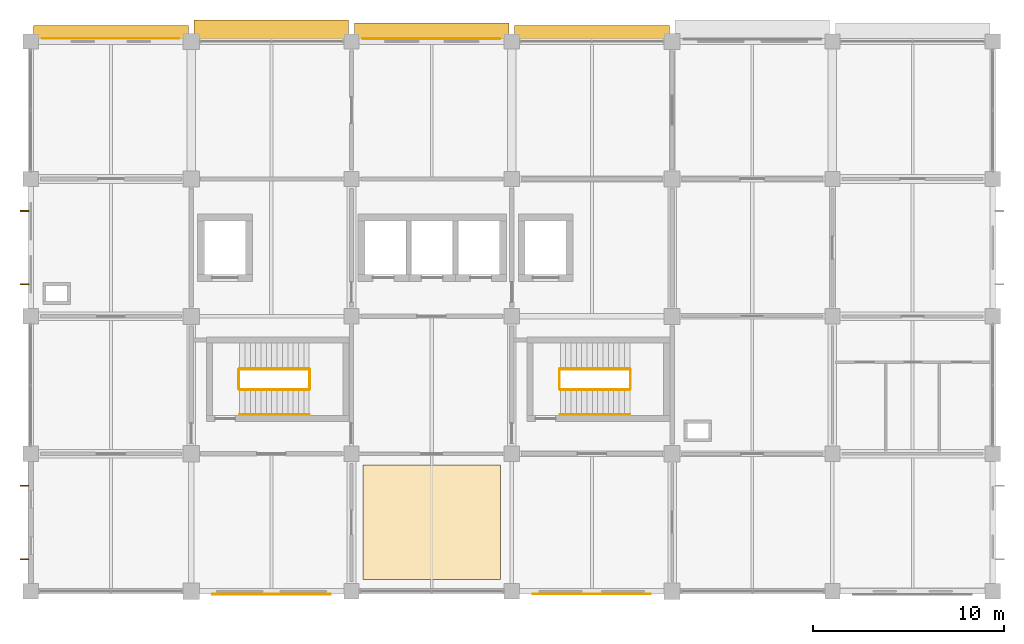
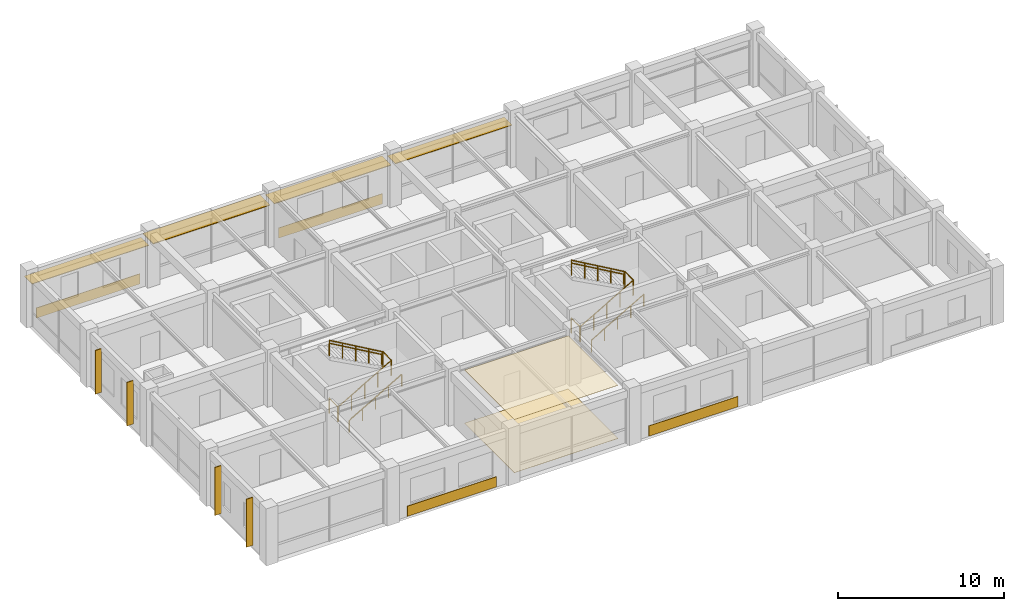
# One storey, part 12 of 13: 12 railings, 8 shading devices, 6 coverings.
"""IFC4 building model written with IfcOpenShell, lengths in metres."""

import ifcopenshell
import ifcopenshell.guid

model = None  # the IFC model being written
_history = None  # IfcOwnerHistory: only IFC2X3 demands one
_inside = {}  # id of a spatial element -> (the spatial element, [elements in it])
_under = {}  # id of a project, library or spatial element -> (it, [spatial elements below it])
_declared = {}  # id of a project -> (the project, [libraries it declares])
_typed = {}  # id of a type object -> (the type object, [elements of that type])
_made_of = {}  # id of a material, layer set ... -> (it, [elements and type objects made of it])


def new_model(schema):
    """Start an empty IFC model of exactly this schema.

    Asked for "IFC4X3", IfcOpenShell would pick the latest addendum, in which some entities
    have other attributes; the version numbers below select the first issue.
    IFC2X3 requires an IfcOwnerHistory on every rooted entity: one is made here for all.
    """
    global model, _history
    if schema == "IFC4X3":
        model = ifcopenshell.file(schema_version=(4, 3, 0, 0))
    else:
        model = ifcopenshell.file(schema=schema)
    _inside.clear()
    _under.clear()
    _declared.clear()
    _typed.clear()
    _made_of.clear()
    _history = None
    if model.schema == "IFC2X3":
        org = make("IfcOrganization", Name="unknown")
        user = make(
            "IfcPersonAndOrganization",
            ThePerson=make("IfcPerson", FamilyName="unknown"),
            TheOrganization=org,
        )
        app = make(
            "IfcApplication",
            ApplicationDeveloper=org,
            Version="unknown",
            ApplicationFullName="unknown",
            ApplicationIdentifier="unknown",
        )
        _history = make(
            "IfcOwnerHistory",
            OwningUser=user,
            OwningApplication=app,
            ChangeAction="ADDED",
            CreationDate=0,
        )
    return model


def make(cls, **values):
    """One entity of the class cls with the attributes given. An attribute that is None is left unset."""
    return model.create_entity(
        cls, **{name: value for name, value in values.items() if value is not None}
    )


def rooted(cls, **values):
    """An entity with a GlobalId (a new one), such as an element, a storey or a relation."""
    return make(cls, GlobalId=ifcopenshell.guid.new(), OwnerHistory=_history, **values)


def si_unit(unit_type, name, prefix=None):
    """IfcSIUnit, for example si_unit("LENGTHUNIT", "METRE", prefix="MILLI")."""
    return make("IfcSIUnit", UnitType=unit_type, Prefix=prefix, Name=name)


def derived_unit(unit_type, elements):
    """IfcDerivedUnit: a product of units, each with its exponent."""
    return make(
        "IfcDerivedUnit",
        Elements=[
            make("IfcDerivedUnitElement", Unit=unit, Exponent=power)
            for unit, power in elements
        ],
        UnitType=unit_type,
    )


def assignment(units):
    """IfcUnitAssignment: the units of a project."""
    return None if units is None else make("IfcUnitAssignment", Units=units)


def point(xyz):
    """IfcCartesianPoint."""
    return None if xyz is None else make("IfcCartesianPoint", Coordinates=xyz)


def direction(xyz):
    """IfcDirection."""
    return None if xyz is None else make("IfcDirection", DirectionRatios=xyz)


def frame(location, z_axis=None, x_axis=None):
    """IfcAxis2Placement3D, a coordinate frame: its origin and axes. An axis left out is left unset."""
    return make(
        "IfcAxis2Placement3D",
        Location=point(location),
        Axis=direction(z_axis),
        RefDirection=direction(x_axis),
    )


def frame_2d(location, x_axis=None):
    """IfcAxis2Placement2D, a coordinate frame in the plane: its origin and x axis."""
    return make(
        "IfcAxis2Placement2D", Location=point(location), RefDirection=direction(x_axis)
    )


def origin():
    """The frame at (0, 0, 0) with its axes left unset."""
    return frame((0.0, 0.0, 0.0))


def origin_2d():
    """The frame at (0, 0) in the plane with its x axis left unset."""
    return frame_2d((0.0, 0.0))


def place(relative_to, where):
    """IfcLocalPlacement: puts the frame where relative to a parent placement (None: the world)."""
    return make(
        "IfcLocalPlacement", PlacementRelTo=relative_to, RelativePlacement=where
    )


def context(
    kind, dimensions, precision=None, world=None, true_north=None, identifier=None
):
    """IfcGeometricRepresentationContext, for example the 3D "Model" context."""
    return make(
        "IfcGeometricRepresentationContext",
        ContextIdentifier=identifier,
        ContextType=kind,
        CoordinateSpaceDimension=dimensions,
        Precision=precision,
        WorldCoordinateSystem=world,
        TrueNorth=true_north,
    )


def subcontext(parent, identifier, kind, view, scale=None):
    """IfcGeometricRepresentationSubContext, for example "Body" below "Model"."""
    return make(
        "IfcGeometricRepresentationSubContext",
        ContextIdentifier=identifier,
        ContextType=kind,
        ParentContext=parent,
        TargetScale=scale,
        TargetView=view,
    )


def project(units=None, contexts=None):
    """IfcProject with its units and contexts."""
    return rooted(
        "IfcProject",
        Name="project",
        RepresentationContexts=contexts,
        UnitsInContext=assignment(units),
    )


def spatial(cls, under=None, at=None, **own):
    """A site, building, storey or space (cls), placed at a placement, below another one or the project."""
    s = rooted(cls, ObjectPlacement=at, **own)
    if under is not None:
        _under.setdefault(under.id(), (under, []))[1].append(s)
    return s


def polyline(points):
    """IfcPolyline through the points."""
    return make("IfcPolyline", Points=[point(p) for p in points])


def profile(cls, at=None, kind="AREA", **sizes):
    """A parametric profile (cls). Its sizes go by their IFC names, for example OverallWidth=200.0."""
    return make(cls, ProfileType=kind, Position=at, **sizes)


def rectangle(**sizes):
    """IfcRectangleProfileDef."""
    return profile("IfcRectangleProfileDef", **sizes)


def circle(**sizes):
    """IfcCircleProfileDef."""
    return profile("IfcCircleProfileDef", **sizes)


def outline(outer, holes=None, kind="AREA"):
    """IfcArbitraryClosedProfileDef: a profile drawn as a closed curve; with holes, ...WithVoids."""
    if holes is None:
        return make("IfcArbitraryClosedProfileDef", ProfileType=kind, OuterCurve=outer)
    return make(
        "IfcArbitraryProfileDefWithVoids",
        ProfileType=kind,
        OuterCurve=outer,
        InnerCurves=holes,
    )


def extrude(swept, where, along, depth):
    """IfcExtrudedAreaSolid: the profile swept, set in the frame where, extruded along a direction by depth."""
    return make(
        "IfcExtrudedAreaSolid",
        SweptArea=swept,
        Position=where,
        ExtrudedDirection=direction(along),
        Depth=depth,
    )


def shape(context_of_items, identifier, shape_type, items):
    """IfcShapeRepresentation: the items that make up one representation, for example the "Body"."""
    return make(
        "IfcShapeRepresentation",
        ContextOfItems=context_of_items,
        RepresentationIdentifier=identifier,
        RepresentationType=shape_type,
        Items=items,
    )


def material(Name=None, Category=None):
    """IfcMaterial."""
    return make("IfcMaterial", Name=Name, Category=Category)


def layer(
    of_material, thickness, ventilated=None, Name=None, Category=None, Priority=None
):
    """IfcMaterialLayer: one layer of a wall or slab, of a material (None: an air gap)."""
    return make(
        "IfcMaterialLayer",
        Material=of_material,
        LayerThickness=thickness,
        IsVentilated=ventilated,
        Name=Name,
        Category=Category,
        Priority=Priority,
    )


def layer_set(layers, Name=None):
    """IfcMaterialLayerSet."""
    return make("IfcMaterialLayerSet", MaterialLayers=layers, LayerSetName=Name)


def made_of(thing, what):
    """Note that an element or type object is made of a material, layer set ...; save() writes the relation."""
    if what is not None:
        _made_of.setdefault(what.id(), (what, []))[1].append(thing)
    return thing


def type_object(cls, material=None, **own):
    """A type object (cls), such as IfcWallType, which elements share."""
    return made_of(rooted(cls, **own), material)


def element(
    cls,
    number,
    at=None,
    inside=None,
    cuts=None,
    type_object=None,
    material=None,
    context=None,
    identifier="Body",
    shape_type=None,
    held_by="IfcProductDefinitionShape",
    body=None,
    shapes=None,
    **own,
):
    """One element of the class cls, such as IfcWall. Its Tag is "e" and its number.

    at: its placement. inside: the storey or other place that contains it. cuts: it is an
    opening in that element (IfcRelVoidsElement). A single representation is given by context,
    identifier, shape_type and body (its items); several are given by shapes. held_by: the class
    of the entity that holds the representations. save() writes the other relations.
    """
    e = rooted(cls, Tag="e%d" % number, ObjectPlacement=at, **own)
    if body is not None:
        shapes = [shape(context, identifier, shape_type, body)]
    if shapes is not None:
        e.Representation = make(held_by, Representations=shapes)
    if inside is not None:
        _inside.setdefault(inside.id(), (inside, []))[1].append(e)
    if cuts is not None:
        rooted(
            "IfcRelVoidsElement", RelatingBuildingElement=cuts, RelatedOpeningElement=e
        )
    if type_object is not None:
        _typed.setdefault(type_object.id(), (type_object, []))[1].append(e)
    return made_of(e, material)


def aggregate(whole, parts):
    """IfcRelAggregates: a whole, such as a stair, and the parts it consists of."""
    return rooted("IfcRelAggregates", RelatingObject=whole, RelatedObjects=parts)


def save(model, path):
    """Write the relations noted so far, then the file.

    IfcRelAggregates (storeys below a building ...), IfcRelContainedInSpatialStructure (elements
    in a storey), IfcRelDefinesByType, IfcRelAssociatesMaterial and IfcRelDeclares: one each for
    every whole, place, type object, material and project.
    """
    for whole, parts in _under.values():
        aggregate(whole, parts)
    for where, things in _inside.values():
        rooted(
            "IfcRelContainedInSpatialStructure",
            RelatedElements=things,
            RelatingStructure=where,
        )
    for kind, things in _typed.values():
        rooted("IfcRelDefinesByType", RelatedObjects=things, RelatingType=kind)
    for what, things in _made_of.values():
        rooted("IfcRelAssociatesMaterial", RelatedObjects=things, RelatingMaterial=what)
    for by, libraries in _declared.values():
        rooted("IfcRelDeclares", RelatingContext=by, RelatedDefinitions=libraries)
    model.write(path)


model = new_model("IFC4")

# Units and contexts
model_context = context("Model", 3, precision=1e-05, world=origin(), true_north=direction((0.0, 1.0)))
body_context = subcontext(model_context, "Body", "Model", "MODEL_VIEW")
ifc_project = project(units=[si_unit("LENGTHUNIT", "METRE"), si_unit("AREAUNIT", "SQUARE_METRE"), si_unit("VOLUMEUNIT", "CUBIC_METRE"), si_unit("PLANEANGLEUNIT", "RADIAN"), si_unit("MASSUNIT", "GRAM", prefix="KILO"), derived_unit("THERMALTRANSMITTANCEUNIT", [(si_unit("MASSUNIT", "GRAM", prefix="KILO"), 1), (si_unit("TIMEUNIT", "SECOND"), -3), (si_unit("THERMODYNAMICTEMPERATUREUNIT", "KELVIN"), -1)])], contexts=[model_context])

# Site, building, storey
site_placement = place(None, origin())
site = spatial("IfcSite", under=ifc_project, at=site_placement, CompositionType="ELEMENT")
building_placement = place(site_placement, origin())
building = spatial("IfcBuilding", under=site, at=building_placement, Name="Veldstrom Oceanarium and Marine Research Institute", CompositionType="ELEMENT")
storey_placement = place(building_placement, frame((0.0, 0.0, 27.0)))
storey = spatial("IfcBuildingStorey", under=building, at=storey_placement, Name="L05", CompositionType="ELEMENT", Elevation=27.0)

# Coverings
ifc_material_1 = material(Name="Anodised Aluminium Spandrel Rainscreen Cladding", Category="aluminium")
ifc_layer_1 = layer(ifc_material_1, 0.75)
ifc_layer_set_1 = layer_set([ifc_layer_1], Name="ARC-COV-CD1")
covering_type_1 = type_object("IfcCoveringType", Name="ARC-COV-CD1", PredefinedType="CLADDING", material=ifc_layer_set_1)
for number, where, z_axis, x_axis, name in (
    (1, (71.387451171875, 72.16845703125, 0.044921875), (0.0, 0.0, 1.0), (1.0, 0.0, 0.0), "Spandrel Rainscreen Cladding L05-102"),
    (2, (88.199951171875, 72.1484375, 0.044921875), (0.0, 0.0, 1.0), (1.0, 0.0, 0.0), "Spandrel Rainscreen Cladding L05-104"),
):
    element("IfcCovering", number, at=place(storey_placement, frame(where, z_axis=z_axis, x_axis=x_axis)), inside=storey, type_object=covering_type_1, Name=name, PredefinedType="CLADDING", context=body_context, shape_type="SweptSolid", body=[
        extrude(rectangle(XDim=7.199951171875, YDim=0.034912109375, at=origin_2d()), origin(), (0.0, 0.0, 1.0), 0.75),
    ])
ifc_material_2 = material(Name="Terracotta Spandrel Rainscreen Cladding", Category="masonry")
ifc_layer_2 = layer(ifc_material_2, 0.75)
ifc_layer_set_2 = layer_set([ifc_layer_2], Name="ARC-COV-CD2")
covering_type_2 = type_object("IfcCoveringType", Name="ARC-COV-CD2", PredefinedType="CLADDING", material=ifc_layer_set_2)
for number, where, z_axis, x_axis, name in (
    (3, (79.8125, 43.0390625, 0.044921875), (0.0, 0.0, 1.0), (1.0, 0.0, 0.0), "Spandrel Rainscreen Cladding L05-103"),
    (4, (96.58740234375, 43.05908203125, 0.044921875), (0.0, 0.0, 1.0), (1.0, 0.0, 0.0), "Spandrel Rainscreen Cladding L05-105"),
):
    element("IfcCovering", number, at=place(storey_placement, frame(where, z_axis=z_axis, x_axis=x_axis)), inside=storey, type_object=covering_type_2, Name=name, PredefinedType="CLADDING", context=body_context, shape_type="SweptSolid", body=[
        extrude(rectangle(XDim=6.199951171875, YDim=0.0400390625, at=origin_2d()), origin(), (0.0, 0.0, 1.0), 0.75),
    ])
ifc_material_3 = material(Name="Mineral-Fibre Acoustic Ceiling Tile", Category="gypsum")
ifc_layer_3 = layer(ifc_material_3, 0.02490234375)
ifc_layer_set_3 = layer_set([ifc_layer_3], Name="ARC-COV-CL1")
covering_type_3 = type_object("IfcCoveringType", Name="ARC-COV-CL1", PredefinedType="CEILING", material=ifc_layer_set_3)
covering_1_placement = place(storey_placement, frame((0.0, 0.0, 3.89501953125)))
element("IfcCovering", 5, at=covering_1_placement, inside=storey, type_object=covering_type_3, Name="Suspended Acoustic Ceiling L05", PredefinedType="CEILING", context=body_context, shape_type="SweptSolid", body=[
    extrude(outline(polyline([(84.60009765625, 43.800048828125), (91.800048828125, 43.800048828125), (91.800048828125, 49.800048828125), (84.60009765625, 49.800048828125), (84.60009765625, 43.800048828125)])), origin(), (0.0, 0.0, 1.0), 0.02490234375),
])
ifc_material_4 = material(Name="Polished Terrazzo and Marine Epoxy Flooring", Category="concrete")
ifc_layer_4 = layer(ifc_material_4, 0.02001953125)
ifc_layer_set_4 = layer_set([ifc_layer_4], Name="ARC-COV-FL1")
covering_type_4 = type_object("IfcCoveringType", Name="ARC-COV-FL1", PredefinedType="FLOORING", material=ifc_layer_set_4)
covering_2_placement = place(storey_placement, origin())
element("IfcCovering", 6, at=covering_2_placement, inside=storey, type_object=covering_type_4, Name="Terrazzo and Marine Epoxy Floor Finish L05", PredefinedType="FLOORING", context=body_context, shape_type="SweptSolid", body=[
    extrude(outline(polyline([(84.60009765625, 43.800048828125), (91.800048828125, 43.800048828125), (91.800048828125, 49.800048828125), (84.60009765625, 49.800048828125), (84.60009765625, 43.800048828125)])), origin(), (0.0, 0.0, 1.0), 0.02001953125),
])

# Railings
ifc_material_5 = material(Name="Duplex Stainless Steel Balustrade", Category="steel")
ifc_layer_5 = layer(ifc_material_5, 0.06005859375)
ifc_layer_set_5 = layer_set([ifc_layer_5], Name="ARC-RLG-GR1")
railing_type_1 = type_object("IfcRailingType", Name="ARC-RLG-GR1", PredefinedType="GUARDRAIL", material=ifc_layer_set_5)
railing_1_placement = place(storey_placement, frame((78.10009765625, 53.800048828125, 0.0)))
element("IfcRailing", 7, at=railing_1_placement, inside=storey, type_object=railing_type_1, Name="Stair Well Landing Guard ST1 L05", PredefinedType="GUARDRAIL", context=body_context, shape_type="SweptSolid", body=[
    extrude(circle(Radius=0.02392578125, at=origin_2d()), frame((0.0, 0.0, 1.09619140625), z_axis=(0.0, 1.0, 0.0), x_axis=(-1.0, 0.0, 0.0)), (0.0, 0.0, 1.0), 1.0),
    extrude(circle(Radius=0.02099609375, at=origin_2d()), origin(), (0.0, 0.0, 1.0), 1.072021484375),
    extrude(circle(Radius=0.02099609375, at=origin_2d()), frame((0.0, 1.0, 0.0)), (0.0, 0.0, 1.0), 1.072021484375),
])
railing_2_placement = place(storey_placement, frame((78.139892578125, 53.760009765625, 0.0)))
element("IfcRailing", 8, at=railing_2_placement, inside=storey, type_object=railing_type_1, Name="Stair Flight Guardrail ST1-L05-1", PredefinedType="GUARDRAIL", context=body_context, shape_type="SweptSolid", body=[
    extrude(circle(Radius=0.02392578125, at=origin_2d()), frame((0.0, 0.0, 1.09619140625), z_axis=(0.86618365172, 0.0, 0.499725806311), x_axis=(0.0, 1.0, 0.0)), (0.0, 0.0, 1.0), 4.202392578125),
    extrude(circle(Radius=0.02099609375, at=origin_2d()), origin(), (0.0, 0.0, 1.0), 1.072021484375),
    extrude(circle(Radius=0.02099609375, at=origin_2d()), frame((0.91015625, 0.0, 0.52490234375)), (0.0, 0.0, 1.0), 1.072021484375),
    extrude(circle(Radius=0.02099609375, at=origin_2d()), frame((1.820068359375, 0.0, 1.050048828125)), (0.0, 0.0, 1.0), 1.072021484375),
    extrude(circle(Radius=0.02099609375, at=origin_2d()), frame((2.72998046875, 0.0, 1.5751953125)), (0.0, 0.0, 1.0), 1.072021484375),
    extrude(circle(Radius=0.02099609375, at=origin_2d()), frame((3.64013671875, 0.0, 2.10009765625)), (0.0, 0.0, 1.0), 1.072021484375),
])
railing_3_placement = place(storey_placement, frame((81.820068359375, 53.800048828125, 2.10009765625)))
element("IfcRailing", 9, at=railing_3_placement, inside=storey, type_object=railing_type_1, Name="Stair Half-Landing Guardrail ST1-L05", PredefinedType="GUARDRAIL", context=body_context, shape_type="SweptSolid", body=[
    extrude(circle(Radius=0.02392578125, at=origin_2d()), frame((0.0, 0.0, 1.09619140625), z_axis=(0.0, 1.0, 0.0), x_axis=(-1.0, 0.0, 0.0)), (0.0, 0.0, 1.0), 1.0),
    extrude(circle(Radius=0.02099609375, at=origin_2d()), origin(), (0.0, 0.0, 1.0), 1.072021484375),
    extrude(circle(Radius=0.02099609375, at=origin_2d()), frame((0.0, 1.0, 0.0)), (0.0, 0.0, 1.0), 1.072021484375),
])
railing_4_placement = place(storey_placement, frame((81.780029296875, 54.840087890625, 2.10009765625)))
element("IfcRailing", 10, at=railing_4_placement, inside=storey, type_object=railing_type_1, Name="Stair Flight Guardrail ST1-L05-2", PredefinedType="GUARDRAIL", context=body_context, shape_type="SweptSolid", body=[
    extrude(circle(Radius=0.02392578125, at=origin_2d()), frame((0.0, 0.0, 1.09619140625), z_axis=(-0.866208797654, 0.0, 0.499682217882), x_axis=(0.0, -1.0, 0.0)), (0.0, 0.0, 1.0), 4.202392578125),
    extrude(circle(Radius=0.02099609375, at=origin_2d()), origin(), (0.0, 0.0, 1.0), 1.072021484375),
    extrude(circle(Radius=0.02099609375, at=origin_2d()), frame((-0.91015625, 0.0, 0.52490234375)), (0.0, 0.0, 1.0), 1.072021484375),
    extrude(circle(Radius=0.02099609375, at=origin_2d()), frame((-1.820068359375, 0.0, 1.0498046875)), (0.0, 0.0, 1.0), 1.072021484375),
    extrude(circle(Radius=0.02099609375, at=origin_2d()), frame((-2.72998046875, 0.0, 1.574951171875)), (0.0, 0.0, 1.0), 1.072021484375),
    extrude(circle(Radius=0.02099609375, at=origin_2d()), frame((-3.64013671875, 0.0, 2.099853515625)), (0.0, 0.0, 1.0), 1.072021484375),
])
railing_5_placement = place(storey_placement, frame((94.89990234375, 53.800048828125, 0.0)))
element("IfcRailing", 11, at=railing_5_placement, inside=storey, type_object=railing_type_1, Name="Stair Well Landing Guard ST2 L05", PredefinedType="GUARDRAIL", context=body_context, shape_type="SweptSolid", body=[
    extrude(circle(Radius=0.02392578125, at=origin_2d()), frame((0.0, 0.0, 1.09619140625), z_axis=(0.0, 1.0, 0.0), x_axis=(-1.0, 0.0, 0.0)), (0.0, 0.0, 1.0), 1.0),
    extrude(circle(Radius=0.02099609375, at=origin_2d()), origin(), (0.0, 0.0, 1.0), 1.072021484375),
    extrude(circle(Radius=0.02099609375, at=origin_2d()), frame((0.0, 1.0, 0.0)), (0.0, 0.0, 1.0), 1.072021484375),
])
railing_6_placement = place(storey_placement, frame((94.93994140625, 53.760009765625, 0.0)))
element("IfcRailing", 12, at=railing_6_placement, inside=storey, type_object=railing_type_1, Name="Stair Flight Guardrail ST2-L05-1", PredefinedType="GUARDRAIL", context=body_context, shape_type="SweptSolid", body=[
    extrude(circle(Radius=0.02392578125, at=origin_2d()), frame((0.0, 0.0, 1.09619140625), z_axis=(0.86618365172, 0.0, 0.499725806311), x_axis=(0.0, 1.0, 0.0)), (0.0, 0.0, 1.0), 4.202392578125),
    extrude(circle(Radius=0.02099609375, at=origin_2d()), origin(), (0.0, 0.0, 1.0), 1.072021484375),
    extrude(circle(Radius=0.02099609375, at=origin_2d()), frame((0.91015625, 0.0, 0.52490234375)), (0.0, 0.0, 1.0), 1.072021484375),
    extrude(circle(Radius=0.02099609375, at=origin_2d()), frame((1.820068359375, 0.0, 1.050048828125)), (0.0, 0.0, 1.0), 1.072021484375),
    extrude(circle(Radius=0.02099609375, at=origin_2d()), frame((2.72998046875, 0.0, 1.5751953125)), (0.0, 0.0, 1.0), 1.072021484375),
    extrude(circle(Radius=0.02099609375, at=origin_2d()), frame((3.64013671875, 0.0, 2.10009765625)), (0.0, 0.0, 1.0), 1.072021484375),
])
railing_7_placement = place(storey_placement, frame((98.6201171875, 53.800048828125, 2.10009765625)))
element("IfcRailing", 13, at=railing_7_placement, inside=storey, type_object=railing_type_1, Name="Stair Half-Landing Guardrail ST2-L05", PredefinedType="GUARDRAIL", context=body_context, shape_type="SweptSolid", body=[
    extrude(circle(Radius=0.02392578125, at=origin_2d()), frame((0.0, 0.0, 1.09619140625), z_axis=(0.0, 1.0, 0.0), x_axis=(-1.0, 0.0, 0.0)), (0.0, 0.0, 1.0), 1.0),
    extrude(circle(Radius=0.02099609375, at=origin_2d()), origin(), (0.0, 0.0, 1.0), 1.072021484375),
    extrude(circle(Radius=0.02099609375, at=origin_2d()), frame((0.0, 1.0, 0.0)), (0.0, 0.0, 1.0), 1.072021484375),
])
railing_8_placement = place(storey_placement, frame((98.580078125, 54.840087890625, 2.10009765625)))
element("IfcRailing", 14, at=railing_8_placement, inside=storey, type_object=railing_type_1, Name="Stair Flight Guardrail ST2-L05-2", PredefinedType="GUARDRAIL", context=body_context, shape_type="SweptSolid", body=[
    extrude(circle(Radius=0.02392578125, at=origin_2d()), frame((0.0, 0.0, 1.09619140625), z_axis=(-0.866208797654, 0.0, 0.499682217882), x_axis=(0.0, -1.0, 0.0)), (0.0, 0.0, 1.0), 4.202392578125),
    extrude(circle(Radius=0.02099609375, at=origin_2d()), origin(), (0.0, 0.0, 1.0), 1.072021484375),
    extrude(circle(Radius=0.02099609375, at=origin_2d()), frame((-0.91015625, 0.0, 0.52490234375)), (0.0, 0.0, 1.0), 1.072021484375),
    extrude(circle(Radius=0.02099609375, at=origin_2d()), frame((-1.820068359375, 0.0, 1.0498046875)), (0.0, 0.0, 1.0), 1.072021484375),
    extrude(circle(Radius=0.02099609375, at=origin_2d()), frame((-2.72998046875, 0.0, 1.574951171875)), (0.0, 0.0, 1.0), 1.072021484375),
    extrude(circle(Radius=0.02099609375, at=origin_2d()), frame((-3.64013671875, 0.0, 2.099853515625)), (0.0, 0.0, 1.0), 1.072021484375),
])
ifc_material_6 = material(Name="Brushed Stainless Steel Handrail", Category="steel")
ifc_layer_6 = layer(ifc_material_6, 0.050048828125)
ifc_layer_set_6 = layer_set([ifc_layer_6], Name="ARC-RLG-HR1")
railing_type_2 = type_object("IfcRailingType", Name="ARC-RLG-HR1", PredefinedType="HANDRAIL", material=ifc_layer_set_6)
railing_9_placement = place(storey_placement, frame((78.139892578125, 52.4599609375, 0.0)))
element("IfcRailing", 15, at=railing_9_placement, inside=storey, type_object=railing_type_2, Name="Stair Wall Handrail ST1-L05-1", PredefinedType="HANDRAIL", context=body_context, shape_type="SweptSolid", body=[
    extrude(circle(Radius=0.02392578125, at=origin_2d()), frame((0.0, 0.0, 0.8759765625), z_axis=(0.86618365172, 0.0, 0.499725806311), x_axis=(0.0, 1.0, 0.0)), (0.0, 0.0, 1.0), 4.202392578125),
    extrude(circle(Radius=0.02099609375, at=origin_2d()), origin(), (0.0, 0.0, 1.0), 0.851806640625),
    extrude(circle(Radius=0.02099609375, at=origin_2d()), frame((0.91015625, 0.0, 0.52490234375)), (0.0, 0.0, 1.0), 0.851806640625),
    extrude(circle(Radius=0.02099609375, at=origin_2d()), frame((1.820068359375, 0.0, 1.050048828125)), (0.0, 0.0, 1.0), 0.851806640625),
    extrude(circle(Radius=0.02099609375, at=origin_2d()), frame((2.72998046875, 0.0, 1.5751953125)), (0.0, 0.0, 1.0), 0.851806640625),
    extrude(circle(Radius=0.02099609375, at=origin_2d()), frame((3.64013671875, 0.0, 2.10009765625)), (0.0, 0.0, 1.0), 0.851806640625),
])
railing_10_placement = place(storey_placement, frame((81.780029296875, 54.860107421875, 2.10009765625)))
element("IfcRailing", 16, at=railing_10_placement, inside=storey, type_object=railing_type_2, Name="Stair Wall Handrail ST1-L05-2", PredefinedType="HANDRAIL", context=body_context, shape_type="SweptSolid", body=[
    extrude(circle(Radius=0.02392578125, at=origin_2d()), frame((0.0, 0.0, 0.8759765625), z_axis=(-0.866208797654, 0.0, 0.499682217882), x_axis=(0.0, -1.0, 0.0)), (0.0, 0.0, 1.0), 4.202392578125),
    extrude(circle(Radius=0.02099609375, at=origin_2d()), origin(), (0.0, 0.0, 1.0), 0.851806640625),
    extrude(circle(Radius=0.02099609375, at=origin_2d()), frame((-0.91015625, 0.0, 0.52490234375)), (0.0, 0.0, 1.0), 0.851806640625),
    extrude(circle(Radius=0.02099609375, at=origin_2d()), frame((-1.820068359375, 0.0, 1.0498046875)), (0.0, 0.0, 1.0), 0.851806640625),
    extrude(circle(Radius=0.02099609375, at=origin_2d()), frame((-2.72998046875, 0.0, 1.574951171875)), (0.0, 0.0, 1.0), 0.851806640625),
    extrude(circle(Radius=0.02099609375, at=origin_2d()), frame((-3.64013671875, 0.0, 2.099853515625)), (0.0, 0.0, 1.0), 0.851806640625),
])
railing_11_placement = place(storey_placement, frame((94.93994140625, 52.4599609375, 0.0)))
element("IfcRailing", 17, at=railing_11_placement, inside=storey, type_object=railing_type_2, Name="Stair Wall Handrail ST2-L05-1", PredefinedType="HANDRAIL", context=body_context, shape_type="SweptSolid", body=[
    extrude(circle(Radius=0.02392578125, at=origin_2d()), frame((0.0, 0.0, 0.8759765625), z_axis=(0.86618365172, 0.0, 0.499725806311), x_axis=(0.0, 1.0, 0.0)), (0.0, 0.0, 1.0), 4.202392578125),
    extrude(circle(Radius=0.02099609375, at=origin_2d()), origin(), (0.0, 0.0, 1.0), 0.851806640625),
    extrude(circle(Radius=0.02099609375, at=origin_2d()), frame((0.91015625, 0.0, 0.52490234375)), (0.0, 0.0, 1.0), 0.851806640625),
    extrude(circle(Radius=0.02099609375, at=origin_2d()), frame((1.820068359375, 0.0, 1.050048828125)), (0.0, 0.0, 1.0), 0.851806640625),
    extrude(circle(Radius=0.02099609375, at=origin_2d()), frame((2.72998046875, 0.0, 1.5751953125)), (0.0, 0.0, 1.0), 0.851806640625),
    extrude(circle(Radius=0.02099609375, at=origin_2d()), frame((3.64013671875, 0.0, 2.10009765625)), (0.0, 0.0, 1.0), 0.851806640625),
])
railing_12_placement = place(storey_placement, frame((98.580078125, 54.860107421875, 2.10009765625)))
element("IfcRailing", 18, at=railing_12_placement, inside=storey, type_object=railing_type_2, Name="Stair Wall Handrail ST2-L05-2", PredefinedType="HANDRAIL", context=body_context, shape_type="SweptSolid", body=[
    extrude(circle(Radius=0.02392578125, at=origin_2d()), frame((0.0, 0.0, 0.8759765625), z_axis=(-0.866208797654, 0.0, 0.499682217882), x_axis=(0.0, -1.0, 0.0)), (0.0, 0.0, 1.0), 4.202392578125),
    extrude(circle(Radius=0.02099609375, at=origin_2d()), origin(), (0.0, 0.0, 1.0), 0.851806640625),
    extrude(circle(Radius=0.02099609375, at=origin_2d()), frame((-0.91015625, 0.0, 0.52490234375)), (0.0, 0.0, 1.0), 0.851806640625),
    extrude(circle(Radius=0.02099609375, at=origin_2d()), frame((-1.820068359375, 0.0, 1.0498046875)), (0.0, 0.0, 1.0), 0.851806640625),
    extrude(circle(Radius=0.02099609375, at=origin_2d()), frame((-2.72998046875, 0.0, 1.574951171875)), (0.0, 0.0, 1.0), 0.851806640625),
    extrude(circle(Radius=0.02099609375, at=origin_2d()), frame((-3.64013671875, 0.0, 2.099853515625)), (0.0, 0.0, 1.0), 0.851806640625),
])

# Shading devices
ifc_material_7 = material(Name="Precast Terracotta Brise-Soleil Louvre", Category="masonry")
ifc_layer_7 = layer(ifc_material_7, 3.60009765625)
ifc_layer_set_7 = layer_set([ifc_layer_7], Name="ARC-SHD-BS01")
shading_device_type_1 = type_object("IfcShadingDeviceType", Name="ARC-SHD-BS01", PredefinedType="JALOUSIE", material=ifc_layer_set_7)
for number, where, z_axis, x_axis, name in (
    (19, (66.85498046875, 44.8798828125, 0.199951171875), (0.0, 0.0, 1.0), (1.0, 0.0, 0.0), "Terracotta Brise-Soleil Louvre L05-100"),
    (20, (66.85498046875, 48.719970703125, 0.199951171875), (0.0, 0.0, 1.0), (1.0, 0.0, 0.0), "Terracotta Brise-Soleil Louvre L05-100"),
):
    element("IfcShadingDevice", number, at=place(storey_placement, frame(where, z_axis=z_axis, x_axis=x_axis)), inside=storey, type_object=shading_device_type_1, Name=name, PredefinedType="JALOUSIE", context=body_context, shape_type="SweptSolid", body=[
        extrude(rectangle(XDim=0.449951171875, YDim=0.06005859375, at=origin_2d()), origin(), (0.0, 0.0, 1.0), 3.52001953125),
    ])
ifc_material_8 = material(Name="Precast Terracotta Brise-Soleil Louvre", Category="masonry")
ifc_layer_8 = layer(ifc_material_8, 3.199951171875)
ifc_layer_set_8 = layer_set([ifc_layer_8], Name="ARC-SHD-BS02")
shading_device_type_2 = type_object("IfcShadingDeviceType", Name="ARC-SHD-BS02", PredefinedType="JALOUSIE", material=ifc_layer_set_8)
for number, where, z_axis, x_axis, name in (
    (21, (66.87255859375, 59.280029296875, 0.35986328125), (0.0, 0.0, 1.0), (1.0, 0.0, 0.0), "Terracotta Brise-Soleil Louvre L05-101"),
    (22, (66.87255859375, 63.1201171875, 0.35986328125), (0.0, 0.0, 1.0), (1.0, 0.0, 0.0), "Terracotta Brise-Soleil Louvre L05-101"),
):
    element("IfcShadingDevice", number, at=place(storey_placement, frame(where, z_axis=z_axis, x_axis=x_axis)), inside=storey, type_object=shading_device_type_2, Name=name, PredefinedType="JALOUSIE", context=body_context, shape_type="SweptSolid", body=[
        extrude(rectangle(XDim=0.449951171875, YDim=0.06005859375, at=origin_2d()), origin(), (0.0, 0.0, 1.0), 3.199951171875),
    ])
ifc_material_9 = material(Name="Perforated Anodised Aluminium Louvre", Category="aluminium")
ifc_layer_9 = layer(ifc_material_9, 0.054931640625)
ifc_layer_set_9 = layer_set([ifc_layer_9], Name="ARC-SHD-SH01")
shading_device_type_3 = type_object("IfcShadingDeviceType", Name="ARC-SHD-SH01", PredefinedType="AWNING", material=ifc_layer_set_9)
shading_device_1_placement = place(storey_placement, frame((79.800048828125, 72.5048828125, 2.85009765625), z_axis=(0.0, 0.0, 1.0), x_axis=(1.0, 0.0, 0.0)))
element("IfcShadingDevice", 23, at=shading_device_1_placement, inside=storey, type_object=shading_device_type_3, Name="North Solar Canopy Louvre L05-10", PredefinedType="AWNING", context=body_context, shape_type="SweptSolid", body=[
    extrude(rectangle(XDim=8.10009765625, YDim=1.25, at=origin_2d()), origin(), (0.0, 0.0, 1.0), 0.054931640625),
])
ifc_material_10 = material(Name="Perforated Anodised Aluminium Louvre", Category="aluminium")
ifc_layer_10 = layer(ifc_material_10, 0.050048828125)
ifc_layer_set_10 = layer_set([ifc_layer_10], Name="ARC-SHD-SH02")
shading_device_type_4 = type_object("IfcShadingDeviceType", Name="ARC-SHD-SH02", PredefinedType="AWNING", material=ifc_layer_set_10)
shading_device_2_placement = place(storey_placement, frame((88.199951171875, 72.429931640625, 2.85009765625), z_axis=(0.0, 0.0, 1.0), x_axis=(1.0, 0.0, 0.0)))
element("IfcShadingDevice", 24, at=shading_device_2_placement, inside=storey, type_object=shading_device_type_4, Name="North Solar Canopy Louvre L05-11", PredefinedType="AWNING", context=body_context, shape_type="SweptSolid", body=[
    extrude(rectangle(XDim=8.10009765625, YDim=1.10009765625, at=origin_2d()), origin(), (0.0, 0.0, 1.0), 0.050048828125),
])
ifc_material_11 = material(Name="Perforated Anodised Aluminium Louvre", Category="aluminium")
ifc_layer_11 = layer(ifc_material_11, 0.044921875)
ifc_layer_set_11 = layer_set([ifc_layer_11], Name="ARC-SHD-SH03")
shading_device_type_5 = type_object("IfcShadingDeviceType", Name="ARC-SHD-SH03", PredefinedType="AWNING", material=ifc_layer_set_11)
for number, where, z_axis, x_axis, name in (
    (25, (71.39990234375, 72.35498046875, 2.85009765625), (0.0, 0.0, 1.0), (1.0, 0.0, 0.0), "North Solar Canopy Louvre L05-9"),
    (26, (96.60009765625, 72.35498046875, 2.85009765625), (0.0, 0.0, 1.0), (1.0, 0.0, 0.0), "North Solar Canopy Louvre L05-12"),
):
    element("IfcShadingDevice", number, at=place(storey_placement, frame(where, z_axis=z_axis, x_axis=x_axis)), inside=storey, type_object=shading_device_type_5, Name=name, PredefinedType="AWNING", context=body_context, shape_type="SweptSolid", body=[
        extrude(rectangle(XDim=8.10009765625, YDim=0.949951171875, at=origin_2d()), origin(), (0.0, 0.0, 1.0), 0.044921875),
    ])

save(model, "model.ifc")
